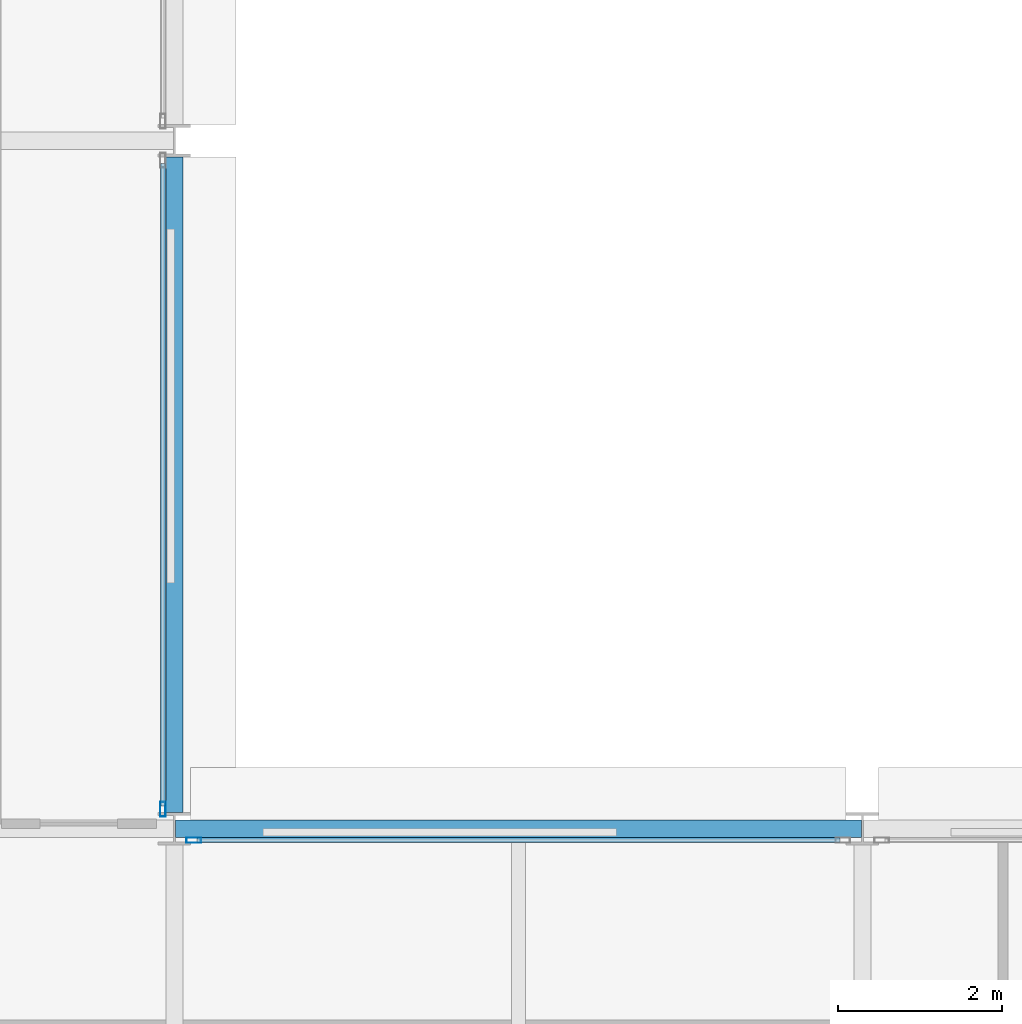
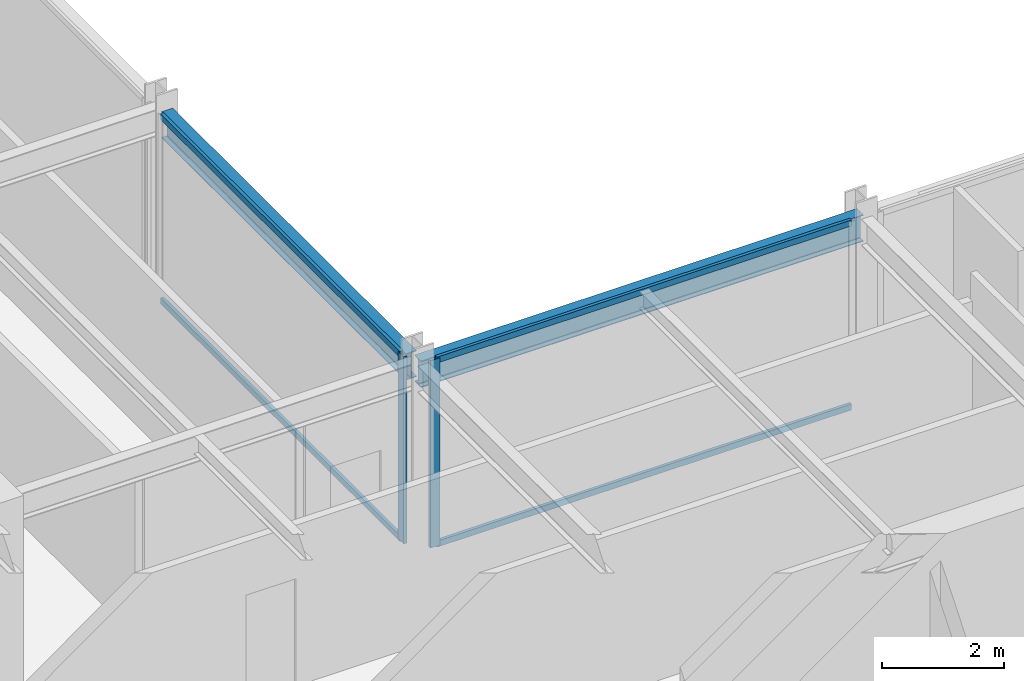
# One storey, part 15 of 40: 6 members, 2 beams, 2 elements without a shape of their own.
"""IFC4 building model written with IfcOpenShell, lengths in metres."""

from ifc_helpers import new_model, si_unit, direction, frame, origin, origin_2d, place, context, subcontext, project, spatial, hollow_rectangle, i_section, extrude, material, layer, layer_set, material_profile, profile_set, type_object, element, aggregate, save


model = new_model("IFC4")

# Units and contexts
model_context = context("Model", 3, precision=1e-05, world=origin(), true_north=direction((0.0, 1.0)))
body_context = subcontext(model_context, "Body", "Model", "MODEL_VIEW")
ifc_project = project(units=[si_unit("LENGTHUNIT", "METRE"), si_unit("AREAUNIT", "SQUARE_METRE"), si_unit("VOLUMEUNIT", "CUBIC_METRE"), si_unit("PLANEANGLEUNIT", "RADIAN"), si_unit("MASSUNIT", "GRAM", prefix="KILO")], contexts=[model_context])

# Site, building, storey
site_placement = place(None, origin())
site = spatial("IfcSite", under=ifc_project, at=site_placement, CompositionType="ELEMENT")
building_placement = place(site_placement, origin())
building = spatial("IfcBuilding", under=site, at=building_placement, Name="Nerrivon Quay Data Exchange", CompositionType="ELEMENT")
storey_placement = place(building_placement, frame((0.0, 0.0, 109.0)))
storey = spatial("IfcBuildingStorey", under=building, at=storey_placement, Name="L25", CompositionType="ELEMENT", Elevation=109.0)

# Beams
ifc_material_1 = material(Name="Steel Grade 350", Category="steel")
ifc_material_profile_1 = material_profile(ifc_material_1, i_section(OverallWidth=0.208984375, OverallDepth=0.532958984375, WebThickness=0.01025390625, FlangeThickness=0.015625, FilletRadius=0.013916015625, at=origin_2d()), Name="530UB92.4")
ifc_profile_set_1 = profile_set([ifc_material_profile_1], Name="Steel Grade 350")
beam_type_1 = type_object("IfcBeamType", Name="BM-G3-530UB92", PredefinedType="BEAM", material=ifc_profile_set_1)
beam_1_placement = place(storey_placement, frame((25.21240234375, 25.199951171875, 3.4833984375), z_axis=(1.0, 0.0, 0.0), x_axis=(0.0, 1.0, 0.0)))
element("IfcBeam", 1, at=beam_1_placement, inside=storey, type_object=beam_type_1, Name="L25 EW Girder Y=25.2 (25.2..33.6)", PredefinedType="BEAM", context=body_context, shape_type="SweptSolid", body=[
    extrude(i_section(OverallWidth=0.208984375, OverallDepth=0.532958984375, WebThickness=0.01025390625, FlangeThickness=0.015625, FilletRadius=0.013916015625, at=origin_2d()), origin(), (0.0, 0.0, 1.0), 8.375),
])
ifc_material_profile_2 = material_profile(ifc_material_1, i_section(OverallWidth=0.208984375, OverallDepth=0.528076171875, WebThickness=0.009521484375, FlangeThickness=0.01318359375, FilletRadius=0.013916015625, at=origin_2d()), Name="530UB82.0")
ifc_profile_set_2 = profile_set([ifc_material_profile_2], Name="Steel Grade 350")
beam_type_2 = type_object("IfcBeamType", Name="BM-G4-530UB82", PredefinedType="BEAM", material=ifc_profile_set_2)
beam_2_placement = place(storey_placement, frame((25.199951171875, 25.39990234375, 3.486083984375), z_axis=(0.0, 1.0, 0.0), x_axis=(-1.0, 0.0, 0.0)))
element("IfcBeam", 2, at=beam_2_placement, inside=storey, type_object=beam_type_2, Name="L25 NS Girder X=25.2 (25.2..33.6)", PredefinedType="BEAM", context=body_context, shape_type="SweptSolid", body=[
    extrude(i_section(OverallWidth=0.208984375, OverallDepth=0.528076171875, WebThickness=0.009521484375, FlangeThickness=0.01318359375, FilletRadius=0.013916015625, at=origin_2d()), origin(), (0.0, 0.0, 1.0), 8.0),
])

# Curtain wall, member
ifc_material_2 = material(Name="Anodised aluminium 6063-T6", Category="aluminium")
ifc_layer = layer(ifc_material_2, 0.2099609375)
ifc_layer_set = layer_set([ifc_layer], Name="Anodised aluminium 6063-T6")
curtain_wall_type = type_object("IfcCurtainWallType", Name="CW-SYS-02", PredefinedType="NOTDEFINED", material=ifc_layer_set)
curtain_wall_1_placement = place(storey_placement, origin())
curtain_wall_1 = element("IfcCurtainWall", 3, at=curtain_wall_1_placement, inside=storey, type_object=curtain_wall_type, Name="L25 Unitised Curtain Wall 31", PredefinedType="NOTDEFINED")
ifc_material_profile_3 = material_profile(ifc_material_2, hollow_rectangle(XDim=0.06494140625, YDim=0.179931640625, WallThickness=0.00341796875, at=origin_2d()), Name="ALU-MULL-180x65")
ifc_profile_set_3 = profile_set([ifc_material_profile_3], Name="Anodised aluminium 6063-T6")
member_type_1 = type_object("IfcMemberType", Name="CWM-180x65", PredefinedType="MULLION", material=ifc_profile_set_3)
member_1_placement = place(storey_placement, frame((25.06005859375, 25.4375, 0.0), z_axis=(0.0, 0.0, 1.0), x_axis=(1.0, 0.0, 0.0)))
member_1 = element("IfcMember", 4, at=member_1_placement, type_object=member_type_1, Name="CW02 mullion 2", PredefinedType="MULLION", context=body_context, shape_type="SweptSolid", body=[
    extrude(hollow_rectangle(XDim=0.06494140625, YDim=0.179931640625, WallThickness=0.00341796875, at=origin_2d()), origin(), (0.0, 0.0, 1.0), 3.75),
])

curtain_wall_2_placement = place(storey_placement, origin())
curtain_wall_2 = element("IfcCurtainWall", 5, at=curtain_wall_2_placement, inside=storey, type_object=curtain_wall_type, Name="L25 Unitised Curtain Wall 32", PredefinedType="NOTDEFINED")
member_2_placement = place(storey_placement, frame((25.4375, 25.06005859375, 0.0), z_axis=(0.0, 0.0, 1.0), x_axis=(0.0, 1.0, 0.0)))
member_2 = element("IfcMember", 6, at=member_2_placement, type_object=member_type_1, Name="CW02 mullion 1", PredefinedType="MULLION", context=body_context, shape_type="SweptSolid", body=[
    extrude(hollow_rectangle(XDim=0.06494140625, YDim=0.179931640625, WallThickness=0.00341796875, at=origin_2d()), origin(), (0.0, 0.0, 1.0), 3.75),
])

# Member
ifc_material_profile_4 = material_profile(ifc_material_2, hollow_rectangle(XDim=0.06005859375, YDim=0.1201171875, WallThickness=0.003173828125, at=origin_2d()), Name="ALU-TRAN-120x60")
ifc_profile_set_4 = profile_set([ifc_material_profile_4], Name="Anodised aluminium 6063-T6")
member_type_2 = type_object("IfcMemberType", Name="CWT-120x60", PredefinedType="USERDEFINED", material=ifc_profile_set_4)
member_3_placement = place(storey_placement, frame((25.06005859375, 33.324951171875, 0.032470703125), z_axis=(0.0, -1.0, 0.0), x_axis=(1.0, 0.0, 0.0)))
member_3 = element("IfcMember", 7, at=member_3_placement, type_object=member_type_2, Name="CW02 transom 1.1", ObjectType="TRANSOM", PredefinedType="USERDEFINED", context=body_context, shape_type="SweptSolid", body=[
    extrude(hollow_rectangle(XDim=0.06005859375, YDim=0.1201171875, WallThickness=0.003173828125, at=origin_2d()), origin(), (0.0, 0.0, 1.0), 7.849853515625),
])

member_4_placement = place(storey_placement, frame((25.06005859375, 33.324951171875, 3.717529296875), z_axis=(0.0, -1.0, 0.0), x_axis=(1.0, 0.0, 0.0)))
member_4 = element("IfcMember", 8, at=member_4_placement, type_object=member_type_2, Name="CW02 transom 1.2", ObjectType="TRANSOM", PredefinedType="USERDEFINED", context=body_context, shape_type="SweptSolid", body=[
    extrude(hollow_rectangle(XDim=0.06005859375, YDim=0.1201171875, WallThickness=0.003173828125, at=origin_2d()), origin(), (0.0, 0.0, 1.0), 7.849853515625),
])

aggregate(curtain_wall_1, [member_1, member_3, member_4])

member_5_placement = place(storey_placement, frame((25.47509765625, 25.06005859375, 0.032470703125), z_axis=(1.0, 0.0, 0.0), x_axis=(0.0, 1.0, 0.0)))
member_5 = element("IfcMember", 9, at=member_5_placement, type_object=member_type_2, Name="CW02 transom 1.1", ObjectType="TRANSOM", PredefinedType="USERDEFINED", context=body_context, shape_type="SweptSolid", body=[
    extrude(hollow_rectangle(XDim=0.06005859375, YDim=0.1201171875, WallThickness=0.003173828125, at=origin_2d()), origin(), (0.0, 0.0, 1.0), 7.849853515625),
])

member_6_placement = place(storey_placement, frame((25.47509765625, 25.06005859375, 3.717529296875), z_axis=(1.0, 0.0, 0.0), x_axis=(0.0, 1.0, 0.0)))
member_6 = element("IfcMember", 10, at=member_6_placement, type_object=member_type_2, Name="CW02 transom 1.2", ObjectType="TRANSOM", PredefinedType="USERDEFINED", context=body_context, shape_type="SweptSolid", body=[
    extrude(hollow_rectangle(XDim=0.06005859375, YDim=0.1201171875, WallThickness=0.003173828125, at=origin_2d()), origin(), (0.0, 0.0, 1.0), 7.849853515625),
])

aggregate(curtain_wall_2, [member_2, member_5, member_6])

save(model, "model.ifc")
